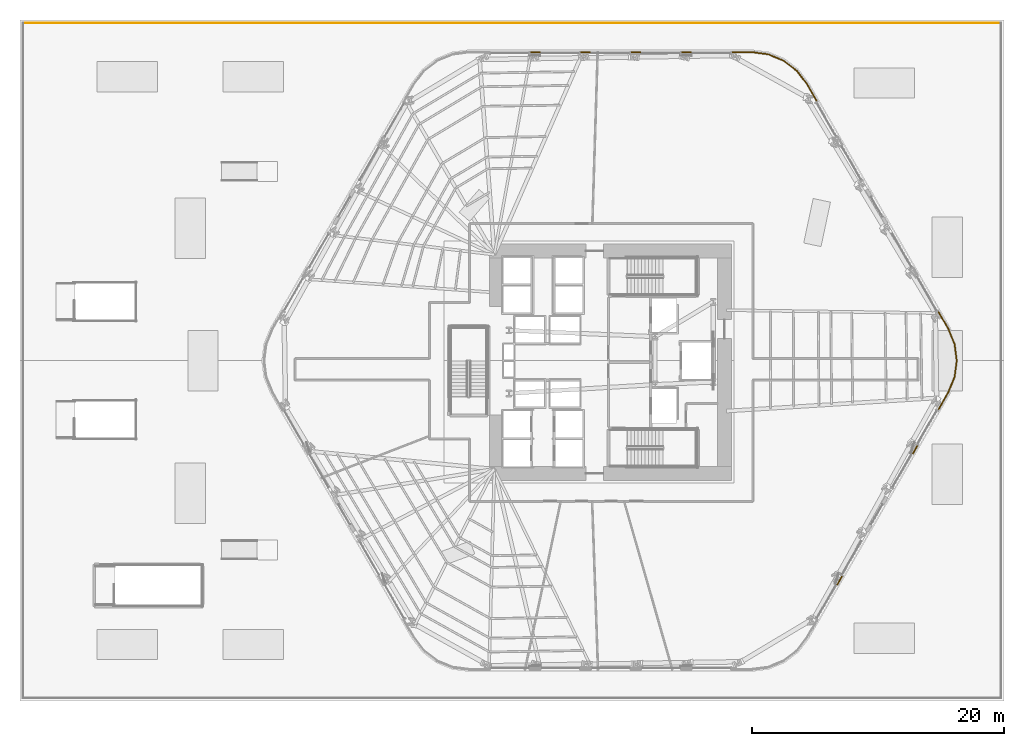
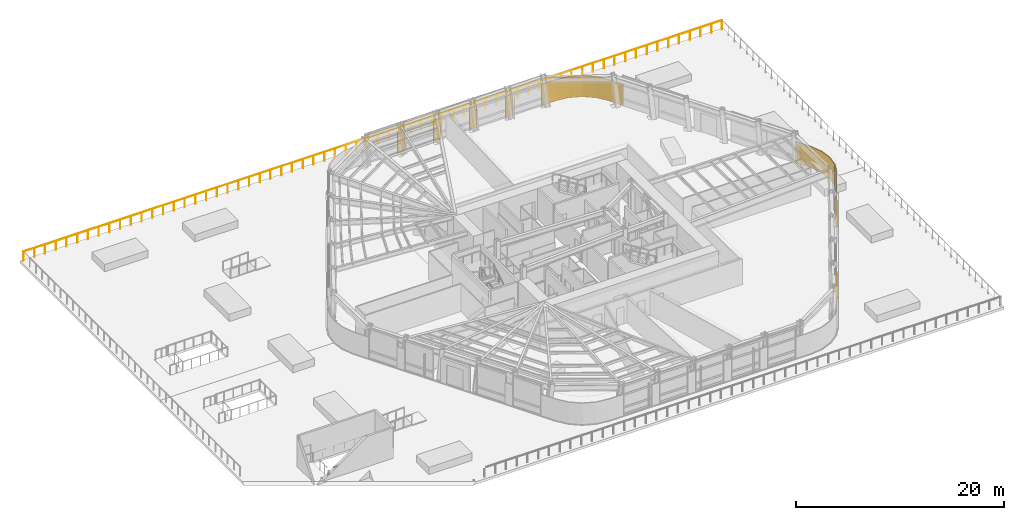
# One storey, part 16 of 18: 8 coverings, 1 railing.
"""IFC4 building model written with IfcOpenShell, lengths in metres."""

from ifc_helpers import new_model, si_unit, direction, frame, origin, origin_2d, place, context, subcontext, project, spatial, polyline, circle, outline, extrude, material, layer, layer_set, type_object, element, save


model = new_model("IFC4")

# Units and contexts
model_context = context("Model", 3, precision=1e-05, world=origin(), true_north=direction((0.0, 1.0)))
body_context = subcontext(model_context, "Body", "Model", "MODEL_VIEW")
ifc_project = project(units=[si_unit("LENGTHUNIT", "METRE"), si_unit("AREAUNIT", "SQUARE_METRE"), si_unit("VOLUMEUNIT", "CUBIC_METRE"), si_unit("PLANEANGLEUNIT", "RADIAN"), si_unit("MASSUNIT", "GRAM", prefix="KILO")], contexts=[model_context])

# Site, building, storey
site_placement = place(None, origin())
site = spatial("IfcSite", under=ifc_project, at=site_placement, CompositionType="ELEMENT")
building_placement = place(site_placement, origin())
building = spatial("IfcBuilding", under=site, at=building_placement, Name="Valkerne Bourse Tower", CompositionType="ELEMENT")
storey_placement = place(building_placement, frame((0.0, 0.0, 24.0)))
storey = spatial("IfcBuildingStorey", under=building, at=storey_placement, Name="L05", CompositionType="ELEMENT", Elevation=24.0)

# Coverings
ifc_material_1 = material(Name="Bronze Anodised Aluminium AA 6063-T6", Category="aluminium")
ifc_layer = layer(ifc_material_1, 0.06005859375)
ifc_layer_set = layer_set([ifc_layer], Name="Bronze Anodised Aluminium AA 6063-T6")
covering_type = type_object("IfcCoveringType", Name="COV-CRN-ALUM", PredefinedType="CLADDING", material=ifc_layer_set)
covering_1_placement = place(storey_placement, origin())
element("IfcCovering", 1, at=covering_1_placement, inside=storey, type_object=covering_type, Name="L05 Wind-Shaped Corner Aluminium Cladding 17", PredefinedType="CLADDING", context=body_context, shape_type="SweptSolid", body=[
    extrude(outline(polyline([(41.22607421875, 51.4951171875), (41.22607421875, 51.4150390625), (40.385986328125, 51.4150390625), (40.385986328125, 51.4951171875), (41.22607421875, 51.4951171875)])), origin(), (0.0, 0.0, 1.0), 2.5),
])
covering_2_placement = place(storey_placement, origin())
element("IfcCovering", 2, at=covering_2_placement, inside=storey, type_object=covering_type, Name="L05 Wind-Shaped Corner Aluminium Cladding 18", PredefinedType="CLADDING", context=body_context, shape_type="SweptSolid", body=[
    extrude(outline(polyline([(45.221923828125, 51.4951171875), (45.221923828125, 51.4150390625), (44.382080078125, 51.4150390625), (44.382080078125, 51.4951171875), (45.221923828125, 51.4951171875)])), origin(), (0.0, 0.0, 1.0), 2.5),
])
covering_3_placement = place(storey_placement, origin())
element("IfcCovering", 3, at=covering_3_placement, inside=storey, type_object=covering_type, Name="L05 Wind-Shaped Corner Aluminium Cladding 19", PredefinedType="CLADDING", context=body_context, shape_type="SweptSolid", body=[
    extrude(outline(polyline([(49.218017578125, 51.4951171875), (49.218017578125, 51.4150390625), (48.3779296875, 51.4150390625), (48.3779296875, 51.4951171875), (49.218017578125, 51.4951171875)])), origin(), (0.0, 0.0, 1.0), 2.5),
])
covering_4_placement = place(storey_placement, origin())
element("IfcCovering", 4, at=covering_4_placement, inside=storey, type_object=covering_type, Name="L05 Wind-Shaped Corner Aluminium Cladding 20", PredefinedType="CLADDING", context=body_context, shape_type="SweptSolid", body=[
    extrude(outline(polyline([(53.214111328125, 51.4951171875), (53.214111328125, 51.4150390625), (52.3740234375, 51.4150390625), (52.3740234375, 51.4951171875), (53.214111328125, 51.4951171875)])), origin(), (0.0, 0.0, 1.0), 2.5),
])
covering_5_placement = place(storey_placement, origin())
element("IfcCovering", 5, at=covering_5_placement, inside=storey, type_object=covering_type, Name="L05 Wind-Shaped Corner Aluminium Cladding 21", PredefinedType="CLADDING", context=body_context, shape_type="SweptSolid", body=[
    extrude(outline(polyline([(57.9912109375, 51.4951171875), (59.3173828125, 51.320556640625), (60.54736328125, 50.81103515625), (61.603515625, 50.000732421875), (62.417724609375, 48.939453125), (63.228515625, 47.535400390625), (63.1591796875, 47.49560546875), (62.35107421875, 48.89501953125), (61.54638671875, 49.943603515625), (60.507080078125, 50.7412109375), (59.296630859375, 51.242431640625), (57.986083984375, 51.4150390625), (56.3701171875, 51.4150390625), (56.3701171875, 51.4951171875), (57.9912109375, 51.4951171875)])), origin(), (0.0, 0.0, 1.0), 2.5),
])
covering_6_placement = place(storey_placement, origin())
element("IfcCovering", 6, at=covering_6_placement, inside=storey, type_object=covering_type, Name="L05 Wind-Shaped Corner Aluminium Cladding 26", PredefinedType="CLADDING", context=body_context, shape_type="SweptSolid", body=[
    extrude(outline(polyline([(73.60888671875, 29.5556640625), (74.12109375, 28.31982421875), (74.294677734375, 27.0), (74.12109375, 25.68017578125), (73.60888671875, 24.4443359375), (72.79833984375, 23.040283203125), (72.72900390625, 23.080322265625), (73.537109375, 24.479736328125), (74.04296875, 25.701171875), (74.214111328125, 27.0), (74.04296875, 28.298828125), (73.537109375, 29.520263671875), (72.72900390625, 30.919677734375), (72.79833984375, 30.959716796875), (73.60888671875, 29.5556640625)])), origin(), (0.0, 0.0, 1.0), 2.5),
])
covering_7_placement = place(storey_placement, origin())
element("IfcCovering", 7, at=covering_7_placement, inside=storey, type_object=covering_type, Name="L05 Wind-Shaped Corner Aluminium Cladding 27", PredefinedType="CLADDING", context=body_context, shape_type="SweptSolid", body=[
    extrude(outline(polyline([(70.80029296875, 19.57958984375), (70.731201171875, 19.61962890625), (71.151123046875, 20.34716796875), (71.220458984375, 20.30712890625), (70.80029296875, 19.57958984375)])), origin(), (0.0, 0.0, 1.0), 2.5),
])
covering_8_placement = place(storey_placement, origin())
element("IfcCovering", 8, at=covering_8_placement, inside=storey, type_object=covering_type, Name="L05 Wind-Shaped Corner Aluminium Cladding 30", PredefinedType="CLADDING", context=body_context, shape_type="SweptSolid", body=[
    extrude(outline(polyline([(64.806396484375, 9.19775390625), (64.737060546875, 9.23779296875), (65.156982421875, 9.965087890625), (65.226318359375, 9.925048828125), (64.806396484375, 9.19775390625)])), origin(), (0.0, 0.0, 1.0), 2.5),
])

# Railing
ifc_material_2 = material(Name="Laminated Tempered Safety Glass", Category="glass")
railing_type = type_object("IfcRailingType", Name="RLG-GUARD-1150", PredefinedType="BALUSTRADE", material=ifc_material_2)
railing_placement = place(storey_placement, frame((77.75, 53.75, 0.0)))
element("IfcRailing", 9, at=railing_placement, inside=storey, type_object=railing_type, Name="L05 Perimeter Guard Railing GRD-L05-OUT-03", PredefinedType="BALUSTRADE", context=body_context, shape_type="SweptSolid", body=[
    extrude(circle(Radius=0.02392578125, at=origin_2d()), frame((0.0, 0.0, 1.1259765625), z_axis=(-1.0, 0.0, 0.0), x_axis=(0.0, -1.0, 0.0)), (0.0, 0.0, 1.0), 77.5),
    extrude(circle(Radius=0.02099609375, at=origin_2d()), origin(), (0.0, 0.0, 1.0), 1.101806640625),
    extrude(circle(Radius=0.02099609375, at=origin_2d()), frame((-1.1923828125, 0.0, 0.0)), (0.0, 0.0, 1.0), 1.101806640625),
    extrude(circle(Radius=0.02099609375, at=origin_2d()), frame((-2.384521484375, 0.0, 0.0)), (0.0, 0.0, 1.0), 1.101806640625),
    extrude(circle(Radius=0.02099609375, at=origin_2d()), frame((-3.576904296875, 0.0, 0.0)), (0.0, 0.0, 1.0), 1.101806640625),
    extrude(circle(Radius=0.02099609375, at=origin_2d()), frame((-4.769287109375, 0.0, 0.0)), (0.0, 0.0, 1.0), 1.101806640625),
    extrude(circle(Radius=0.02099609375, at=origin_2d()), frame((-5.96142578125, 0.0, 0.0)), (0.0, 0.0, 1.0), 1.101806640625),
    extrude(circle(Radius=0.02099609375, at=origin_2d()), frame((-7.15380859375, 0.0, 0.0)), (0.0, 0.0, 1.0), 1.101806640625),
    extrude(circle(Radius=0.02099609375, at=origin_2d()), frame((-8.34619140625, 0.0, 0.0)), (0.0, 0.0, 1.0), 1.101806640625),
    extrude(circle(Radius=0.02099609375, at=origin_2d()), frame((-9.53857421875, 0.0, 0.0)), (0.0, 0.0, 1.0), 1.101806640625),
    extrude(circle(Radius=0.02099609375, at=origin_2d()), frame((-10.730712890625, 0.0, 0.0)), (0.0, 0.0, 1.0), 1.101806640625),
    extrude(circle(Radius=0.02099609375, at=origin_2d()), frame((-11.923095703125, 0.0, 0.0)), (0.0, 0.0, 1.0), 1.101806640625),
    extrude(circle(Radius=0.02099609375, at=origin_2d()), frame((-13.115478515625, 0.0, 0.0)), (0.0, 0.0, 1.0), 1.101806640625),
    extrude(circle(Radius=0.02099609375, at=origin_2d()), frame((-14.3076171875, 0.0, 0.0)), (0.0, 0.0, 1.0), 1.101806640625),
    extrude(circle(Radius=0.02099609375, at=origin_2d()), frame((-15.5, 0.0, 0.0)), (0.0, 0.0, 1.0), 1.101806640625),
    extrude(circle(Radius=0.02099609375, at=origin_2d()), frame((-16.6923828125, 0.0, 0.0)), (0.0, 0.0, 1.0), 1.101806640625),
    extrude(circle(Radius=0.02099609375, at=origin_2d()), frame((-17.884521484375, 0.0, 0.0)), (0.0, 0.0, 1.0), 1.101806640625),
    extrude(circle(Radius=0.02099609375, at=origin_2d()), frame((-19.076904296875, 0.0, 0.0)), (0.0, 0.0, 1.0), 1.101806640625),
    extrude(circle(Radius=0.02099609375, at=origin_2d()), frame((-20.269287109375, 0.0, 0.0)), (0.0, 0.0, 1.0), 1.101806640625),
    extrude(circle(Radius=0.02099609375, at=origin_2d()), frame((-21.46142578125, 0.0, 0.0)), (0.0, 0.0, 1.0), 1.101806640625),
    extrude(circle(Radius=0.02099609375, at=origin_2d()), frame((-22.65380859375, 0.0, 0.0)), (0.0, 0.0, 1.0), 1.101806640625),
    extrude(circle(Radius=0.02099609375, at=origin_2d()), frame((-23.84619140625, 0.0, 0.0)), (0.0, 0.0, 1.0), 1.101806640625),
    extrude(circle(Radius=0.02099609375, at=origin_2d()), frame((-25.03857421875, 0.0, 0.0)), (0.0, 0.0, 1.0), 1.101806640625),
    extrude(circle(Radius=0.02099609375, at=origin_2d()), frame((-26.230712890625, 0.0, 0.0)), (0.0, 0.0, 1.0), 1.101806640625),
    extrude(circle(Radius=0.02099609375, at=origin_2d()), frame((-27.423095703125, 0.0, 0.0)), (0.0, 0.0, 1.0), 1.101806640625),
    extrude(circle(Radius=0.02099609375, at=origin_2d()), frame((-28.615478515625, 0.0, 0.0)), (0.0, 0.0, 1.0), 1.101806640625),
    extrude(circle(Radius=0.02099609375, at=origin_2d()), frame((-29.8076171875, 0.0, 0.0)), (0.0, 0.0, 1.0), 1.101806640625),
    extrude(circle(Radius=0.02099609375, at=origin_2d()), frame((-31.0, 0.0, 0.0)), (0.0, 0.0, 1.0), 1.101806640625),
    extrude(circle(Radius=0.02099609375, at=origin_2d()), frame((-32.1923828125, 0.0, 0.0)), (0.0, 0.0, 1.0), 1.101806640625),
    extrude(circle(Radius=0.02099609375, at=origin_2d()), frame((-33.384521484375, 0.0, 0.0)), (0.0, 0.0, 1.0), 1.101806640625),
    extrude(circle(Radius=0.02099609375, at=origin_2d()), frame((-34.576904296875, 0.0, 0.0)), (0.0, 0.0, 1.0), 1.101806640625),
    extrude(circle(Radius=0.02099609375, at=origin_2d()), frame((-35.769287109375, 0.0, 0.0)), (0.0, 0.0, 1.0), 1.101806640625),
    extrude(circle(Radius=0.02099609375, at=origin_2d()), frame((-36.96142578125, 0.0, 0.0)), (0.0, 0.0, 1.0), 1.101806640625),
    extrude(circle(Radius=0.02099609375, at=origin_2d()), frame((-38.15380859375, 0.0, 0.0)), (0.0, 0.0, 1.0), 1.101806640625),
    extrude(circle(Radius=0.02099609375, at=origin_2d()), frame((-39.34619140625, 0.0, 0.0)), (0.0, 0.0, 1.0), 1.101806640625),
    extrude(circle(Radius=0.02099609375, at=origin_2d()), frame((-40.53857421875, 0.0, 0.0)), (0.0, 0.0, 1.0), 1.101806640625),
    extrude(circle(Radius=0.02099609375, at=origin_2d()), frame((-41.730712890625, 0.0, 0.0)), (0.0, 0.0, 1.0), 1.101806640625),
    extrude(circle(Radius=0.02099609375, at=origin_2d()), frame((-42.923095703125, 0.0, 0.0)), (0.0, 0.0, 1.0), 1.101806640625),
    extrude(circle(Radius=0.02099609375, at=origin_2d()), frame((-44.115478515625, 0.0, 0.0)), (0.0, 0.0, 1.0), 1.101806640625),
    extrude(circle(Radius=0.02099609375, at=origin_2d()), frame((-45.3076171875, 0.0, 0.0)), (0.0, 0.0, 1.0), 1.101806640625),
    extrude(circle(Radius=0.02099609375, at=origin_2d()), frame((-46.5, 0.0, 0.0)), (0.0, 0.0, 1.0), 1.101806640625),
    extrude(circle(Radius=0.02099609375, at=origin_2d()), frame((-47.6923828125, 0.0, 0.0)), (0.0, 0.0, 1.0), 1.101806640625),
    extrude(circle(Radius=0.02099609375, at=origin_2d()), frame((-48.884521484375, 0.0, 0.0)), (0.0, 0.0, 1.0), 1.101806640625),
    extrude(circle(Radius=0.02099609375, at=origin_2d()), frame((-50.076904296875, 0.0, 0.0)), (0.0, 0.0, 1.0), 1.101806640625),
    extrude(circle(Radius=0.02099609375, at=origin_2d()), frame((-51.269287109375, 0.0, 0.0)), (0.0, 0.0, 1.0), 1.101806640625),
    extrude(circle(Radius=0.02099609375, at=origin_2d()), frame((-52.46142578125, 0.0, 0.0)), (0.0, 0.0, 1.0), 1.101806640625),
    extrude(circle(Radius=0.02099609375, at=origin_2d()), frame((-53.65380859375, 0.0, 0.0)), (0.0, 0.0, 1.0), 1.101806640625),
    extrude(circle(Radius=0.02099609375, at=origin_2d()), frame((-54.84619140625, 0.0, 0.0)), (0.0, 0.0, 1.0), 1.101806640625),
    extrude(circle(Radius=0.02099609375, at=origin_2d()), frame((-56.03857421875, 0.0, 0.0)), (0.0, 0.0, 1.0), 1.101806640625),
    extrude(circle(Radius=0.02099609375, at=origin_2d()), frame((-57.230712890625, 0.0, 0.0)), (0.0, 0.0, 1.0), 1.101806640625),
    extrude(circle(Radius=0.02099609375, at=origin_2d()), frame((-58.423095703125, 0.0, 0.0)), (0.0, 0.0, 1.0), 1.101806640625),
    extrude(circle(Radius=0.02099609375, at=origin_2d()), frame((-59.615478515625, 0.0, 0.0)), (0.0, 0.0, 1.0), 1.101806640625),
    extrude(circle(Radius=0.02099609375, at=origin_2d()), frame((-60.8076171875, 0.0, 0.0)), (0.0, 0.0, 1.0), 1.101806640625),
    extrude(circle(Radius=0.02099609375, at=origin_2d()), frame((-62.0, 0.0, 0.0)), (0.0, 0.0, 1.0), 1.101806640625),
    extrude(circle(Radius=0.02099609375, at=origin_2d()), frame((-63.1923828125, 0.0, 0.0)), (0.0, 0.0, 1.0), 1.101806640625),
    extrude(circle(Radius=0.02099609375, at=origin_2d()), frame((-64.384521484375, 0.0, 0.0)), (0.0, 0.0, 1.0), 1.101806640625),
    extrude(circle(Radius=0.02099609375, at=origin_2d()), frame((-65.576904296875, 0.0, 0.0)), (0.0, 0.0, 1.0), 1.101806640625),
    extrude(circle(Radius=0.02099609375, at=origin_2d()), frame((-66.769287109375, 0.0, 0.0)), (0.0, 0.0, 1.0), 1.101806640625),
    extrude(circle(Radius=0.02099609375, at=origin_2d()), frame((-67.96142578125, 0.0, 0.0)), (0.0, 0.0, 1.0), 1.101806640625),
    extrude(circle(Radius=0.02099609375, at=origin_2d()), frame((-69.15380859375, 0.0, 0.0)), (0.0, 0.0, 1.0), 1.101806640625),
    extrude(circle(Radius=0.02099609375, at=origin_2d()), frame((-70.34619140625, 0.0, 0.0)), (0.0, 0.0, 1.0), 1.101806640625),
    extrude(circle(Radius=0.02099609375, at=origin_2d()), frame((-71.53857421875, 0.0, 0.0)), (0.0, 0.0, 1.0), 1.101806640625),
    extrude(circle(Radius=0.02099609375, at=origin_2d()), frame((-72.730712890625, 0.0, 0.0)), (0.0, 0.0, 1.0), 1.101806640625),
    extrude(circle(Radius=0.02099609375, at=origin_2d()), frame((-73.923095703125, 0.0, 0.0)), (0.0, 0.0, 1.0), 1.101806640625),
    extrude(circle(Radius=0.02099609375, at=origin_2d()), frame((-75.115478515625, 0.0, 0.0)), (0.0, 0.0, 1.0), 1.101806640625),
    extrude(circle(Radius=0.02099609375, at=origin_2d()), frame((-76.3076171875, 0.0, 0.0)), (0.0, 0.0, 1.0), 1.101806640625),
    extrude(circle(Radius=0.02099609375, at=origin_2d()), frame((-77.5, 0.0, 0.0)), (0.0, 0.0, 1.0), 1.101806640625),
])

save(model, "model.ifc")
